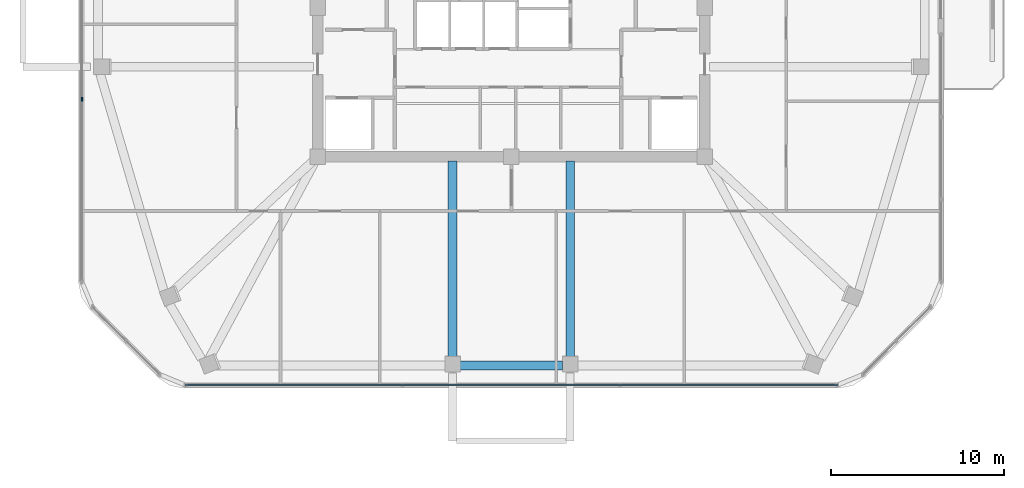
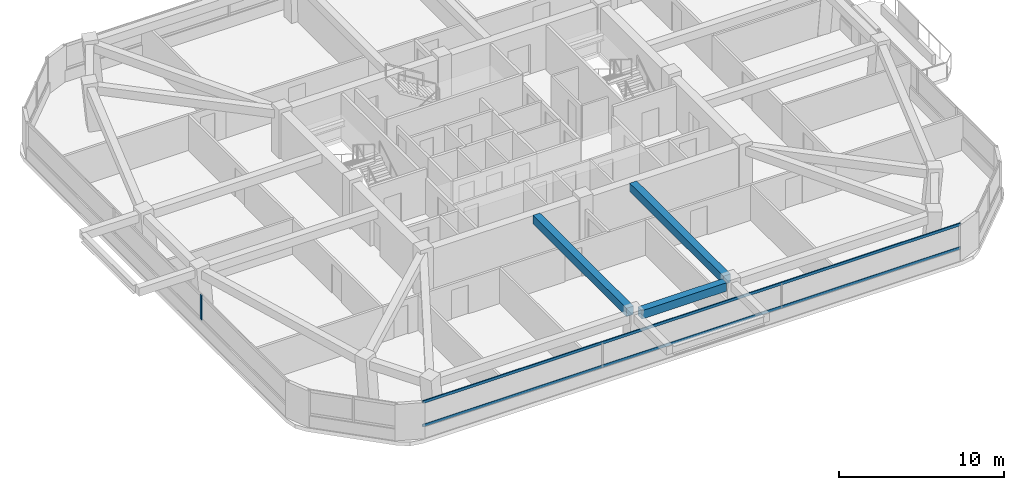
# One storey, part 3 of 13: 3 beams, 3 members, 2 elements without a shape of their own.
"""IFC4 building model written with IfcOpenShell, lengths in metres."""

from ifc_helpers import new_model, si_unit, derived_unit, direction, frame, origin, origin_2d, place, context, subcontext, project, spatial, rectangle, extrude, material, material_profile, profile_set, type_object, element, aggregate, save


model = new_model("IFC4")

# Units and contexts
model_context = context("Model", 3, precision=1e-05, world=origin(), true_north=direction((0.0, 1.0)))
body_context = subcontext(model_context, "Body", "Model", "MODEL_VIEW")
ifc_project = project(units=[si_unit("LENGTHUNIT", "METRE"), si_unit("AREAUNIT", "SQUARE_METRE"), si_unit("VOLUMEUNIT", "CUBIC_METRE"), si_unit("PLANEANGLEUNIT", "RADIAN"), si_unit("MASSUNIT", "GRAM", prefix="KILO"), derived_unit("THERMALTRANSMITTANCEUNIT", [(si_unit("POWERUNIT", "WATT"), 1), (si_unit("LENGTHUNIT", "METRE"), -2), (si_unit("THERMODYNAMICTEMPERATUREUNIT", "KELVIN"), -1)])], contexts=[model_context])

# Site, building, storey
site_placement = place(None, origin())
site = spatial("IfcSite", under=ifc_project, at=site_placement, CompositionType="ELEMENT")
building_placement = place(site_placement, origin())
building = spatial("IfcBuilding", under=site, at=building_placement, Name="Koralith Skygarden Medical Center", CompositionType="ELEMENT")
storey_placement = place(building_placement, frame((0.0, 0.0, 196.3798828125)))
storey = spatial("IfcBuildingStorey", under=building, at=storey_placement, Name="L50", CompositionType="ELEMENT", Elevation=196.3798828125)

# Curtain wall, member
ifc_material_1 = material(Name="Clear Laminated Glass", Category="glass")
curtain_wall_type = type_object("IfcCurtainWallType", Name="CW-5 Zone 4 Flare Biophilic Curtain Wall", PredefinedType="NOTDEFINED", material=ifc_material_1)
curtain_wall_1_placement = place(storey_placement, origin())
curtain_wall_1 = element("IfcCurtainWall", 1, at=curtain_wall_1_placement, inside=storey, type_object=curtain_wall_type, Name="Curtain Wall CW-L50-W", PredefinedType="NOTDEFINED")
ifc_material_2 = material(Name="Aluminium 6063-T6", Category="aluminium")
ifc_material_profile_1 = material_profile(ifc_material_2, rectangle(XDim=0.080078125, YDim=0.219970703125, at=origin_2d()), Name="MUL80X220")
ifc_profile_set_1 = profile_set([ifc_material_profile_1], Name="Aluminium 6063-T6")
member_type_1 = type_object("IfcMemberType", Name="CW-5 Extruded Mullion 80x220", PredefinedType="MULLION", material=ifc_profile_set_1)
member_1_placement = place(storey_placement, frame((12.154052734375, 20.6220703125, 0.85009765625), z_axis=(0.0, 0.0, 1.0), x_axis=(1.0, 0.0, 0.0)))
member_1 = element("IfcMember", 2, at=member_1_placement, type_object=member_type_1, Name="CW-L50-W Mullion 3", PredefinedType="MULLION", context=body_context, shape_type="SweptSolid", body=[
    extrude(rectangle(XDim=0.080078125, YDim=0.219970703125, at=origin_2d()), origin(), (0.0, 0.0, 1.0), 1.840087890625),
])
aggregate(curtain_wall_1, [member_1])

# Curtain wall, members
curtain_wall_2_placement = place(storey_placement, origin())
curtain_wall_2 = element("IfcCurtainWall", 3, at=curtain_wall_2_placement, inside=storey, type_object=curtain_wall_type, Name="Curtain Wall CW-L50-S", PredefinedType="NOTDEFINED")
ifc_material_profile_2 = material_profile(ifc_material_2, rectangle(XDim=0.074951171875, YDim=0.197998046875, at=origin_2d()), Name="TRN75X198")
ifc_profile_set_2 = profile_set([ifc_material_profile_2], Name="Aluminium 6063-T6")
member_type_2 = type_object("IfcMemberType", Name="CW-5 Thermal Transom 75x198", PredefinedType="USERDEFINED", material=ifc_profile_set_2)
member_2_placement = place(storey_placement, frame((18.1298828125, 4.090087890625, 0.900146484375), z_axis=(1.0, 0.0, 0.0), x_axis=(0.0, 1.0, 0.0)))
member_2 = element("IfcMember", 4, at=member_2_placement, type_object=member_type_2, Name="CW-L50-S Transom 1", ObjectType="TRANSOM", PredefinedType="USERDEFINED", context=body_context, shape_type="SweptSolid", body=[
    extrude(rectangle(XDim=0.074951171875, YDim=0.197998046875, at=origin_2d()), origin(), (0.0, 0.0, 1.0), 37.740234375),
])
member_3_placement = place(storey_placement, frame((18.1298828125, 4.090087890625, 2.64013671875), z_axis=(1.0, 0.0, 0.0), x_axis=(0.0, 1.0, 0.0)))
member_3 = element("IfcMember", 5, at=member_3_placement, type_object=member_type_2, Name="CW-L50-S Transom 2", ObjectType="TRANSOM", PredefinedType="USERDEFINED", context=body_context, shape_type="SweptSolid", body=[
    extrude(rectangle(XDim=0.074951171875, YDim=0.197998046875, at=origin_2d()), origin(), (0.0, 0.0, 1.0), 37.740234375),
])
aggregate(curtain_wall_2, [member_2, member_3])

# Beams
ifc_material_3 = material(Name="Concrete C45/55", Category="concrete")
ifc_material_profile_3 = material_profile(ifc_material_3, rectangle(XDim=0.5, YDim=0.6201171875, at=origin_2d()), Name="RCB500X620")
ifc_profile_set_3 = profile_set([ifc_material_profile_3], Name="Concrete C45/55")
beam_type_1 = type_object("IfcBeamType", Name="Upper Radial Collector Beam RCB500X620", PredefinedType="BEAM", material=ifc_profile_set_3)
for number, where, z_axis, x_axis, name in (
    (6, (33.60009765625, 17.050048828125, 3.010009765625), (0.0, -1.0, 0.0), (1.0, 0.0, 0.0), "L50 Radial Collector Beam RB-04"),
    (7, (40.39990234375, 17.050048828125, 3.010009765625), (0.0, -1.0, 0.0), (1.0, 0.0, 0.0), "L50 Radial Collector Beam RB-05"),
):
    element("IfcBeam", number, at=place(storey_placement, frame(where, z_axis=z_axis, x_axis=x_axis)), inside=storey, type_object=beam_type_1, Name=name, PredefinedType="BEAM", context=body_context, shape_type="SweptSolid", body=[
        extrude(rectangle(XDim=0.5, YDim=0.6201171875, at=origin_2d()), origin(), (0.0, 0.0, 1.0), 11.39599609375),
    ])
ifc_material_profile_4 = material_profile(ifc_material_3, rectangle(XDim=0.5, YDim=0.6201171875, at=origin_2d()), Name="RCB500X620")
ifc_profile_set_4 = profile_set([ifc_material_profile_4], Name="Concrete C45/55")
beam_type_2 = type_object("IfcBeamType", Name="Zone 4-5 Spandrel Beam RCB500X620", PredefinedType="SPANDREL", material=ifc_profile_set_4)
beam_placement = place(storey_placement, frame((34.0400390625, 5.214111328125, 3.010009765625), z_axis=(1.0, 0.0, 0.0), x_axis=(0.0, 1.0, 0.0)))
element("IfcBeam", 8, at=beam_placement, inside=storey, type_object=beam_type_2, Name="L50 Perimeter Spandrel Beam SP-04", PredefinedType="SPANDREL", context=body_context, shape_type="SweptSolid", body=[
    extrude(rectangle(XDim=0.5, YDim=0.6201171875, at=origin_2d()), origin(), (0.0, 0.0, 1.0), 5.919921875),
])

save(model, "model.ifc")
